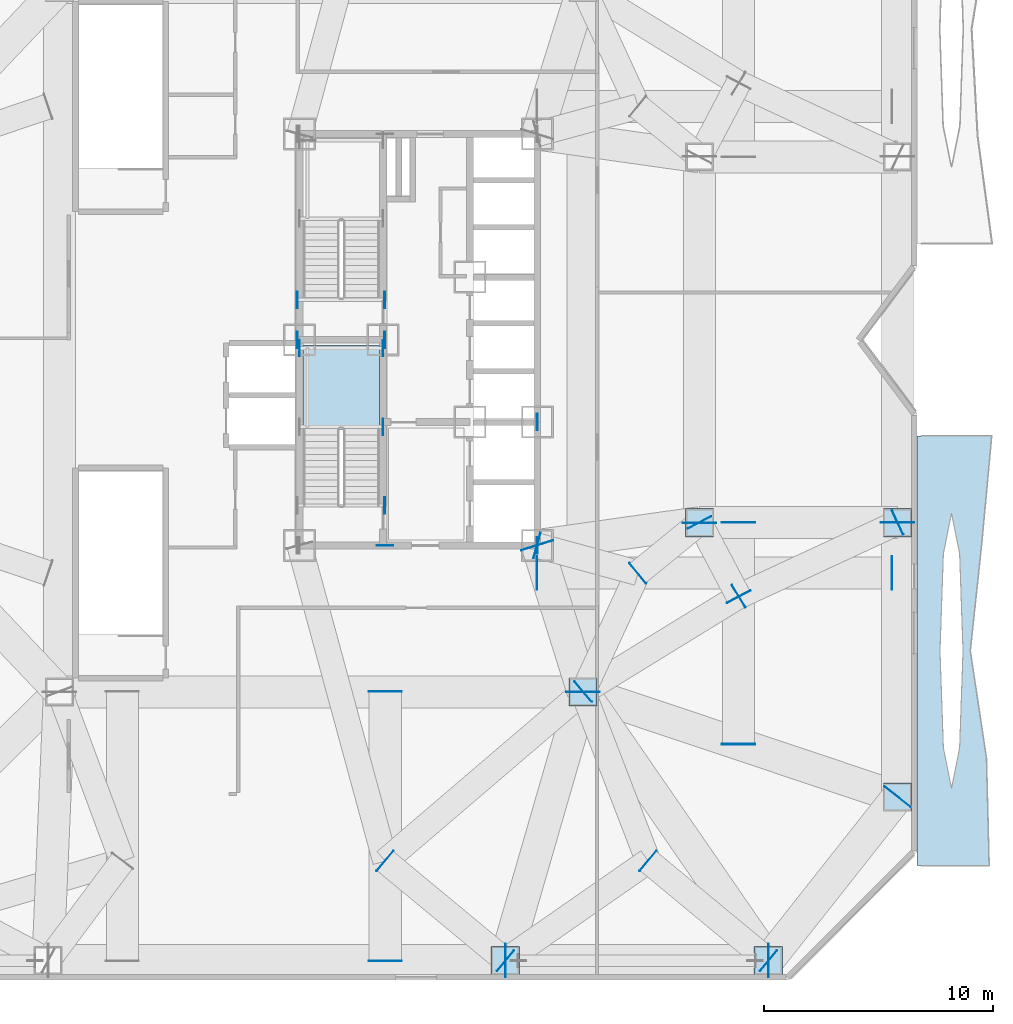
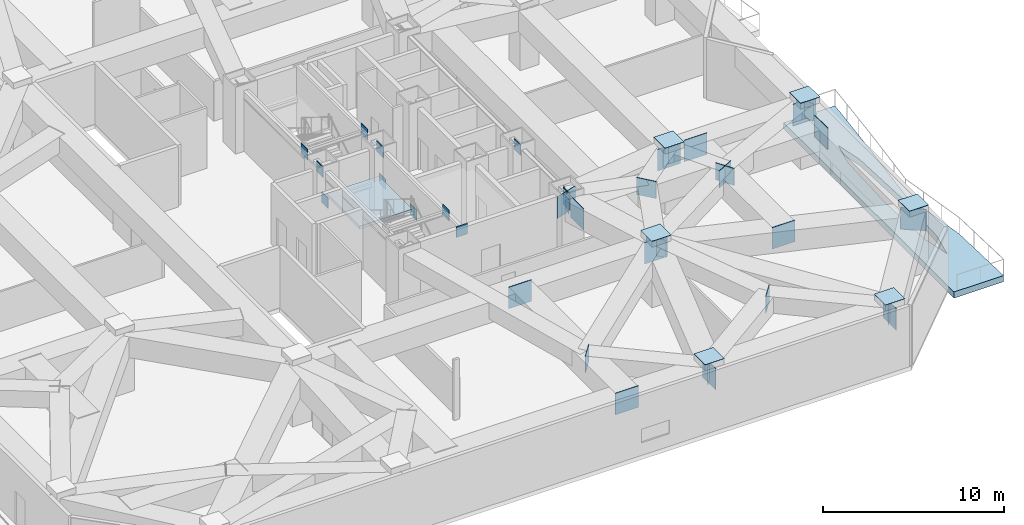
# One storey, part 15 of 27: 43 plates, 2 slabs, 1 element without a shape of its own.
"""IFC4 building model written with IfcOpenShell, lengths in metres."""

from ifc_helpers import new_model, si_unit, direction, frame, origin, origin_2d, place, context, subcontext, project, spatial, polyline, rectangle, outline, extrude, material, layer, layer_set, type_object, element, aggregate, save


model = new_model("IFC4")

# Units and contexts
model_context = context("Model", 3, precision=1e-05, world=origin(), true_north=direction((0.0, 1.0)))
body_context = subcontext(model_context, "Body", "Model", "MODEL_VIEW")
ifc_project = project(units=[si_unit("LENGTHUNIT", "METRE"), si_unit("AREAUNIT", "SQUARE_METRE"), si_unit("VOLUMEUNIT", "CUBIC_METRE"), si_unit("PLANEANGLEUNIT", "RADIAN"), si_unit("MASSUNIT", "GRAM", prefix="KILO")], contexts=[model_context])

# Site, building, storey
site_placement = place(None, origin())
site = spatial("IfcSite", under=ifc_project, at=site_placement, CompositionType="ELEMENT")
building_placement = place(site_placement, origin())
building = spatial("IfcBuilding", under=site, at=building_placement, Name="Khamvora Tower", CompositionType="ELEMENT")
storey_placement = place(building_placement, frame((0.0, 0.0, 28.800048828125)))
storey = spatial("IfcBuildingStorey", under=building, at=storey_placement, Name="L06", CompositionType="ELEMENT", Elevation=28.800048828125)

# Plates
ifc_material_1 = material(Name="Steel S355", Category="steel")
ifc_layer_1 = layer(ifc_material_1, 0.02490234375)
ifc_layer_set_1 = layer_set([ifc_layer_1], Name="Steel S355")
plate_type_1 = type_object("IfcPlateType", Name="PL-CAP-25", PredefinedType="SHEET", material=ifc_layer_set_1)
for number, where, z_axis, x_axis, name in (
    (1, (38.0, 0.85009765625, 4.474609375), (0.0, 0.0, 1.0), (1.0, 0.0, 0.0), "L06 hollow section steel end cap plate 0057"),
    (2, (49.5, 0.85009765625, 4.474609375), (0.0, 0.0, 1.0), (1.0, 0.0, 0.0), "L06 hollow section steel end cap plate 0058"),
    (3, (55.14990234375, 8.0, 4.474609375), (0.0, 0.0, 1.0), (1.0, 0.0, 0.0), "L06 hollow section steel end cap plate 0067"),
    (4, (55.14990234375, 20.0, 4.474609375), (0.0, 0.0, 1.0), (1.0, 0.0, 0.0), "L06 hollow section steel end cap plate 0068"),
    (5, (41.39990234375, 12.60009765625, 4.474609375), (0.0, 0.0, 1.0), (1.0, 0.0, 0.0), "L06 hollow section steel end cap plate 0072"),
    (6, (46.5, 20.0, 4.474609375), (0.0, 0.0, 1.0), (1.0, 0.0, 0.0), "L06 hollow section steel end cap plate 0077"),
):
    element("IfcPlate", number, at=place(storey_placement, frame(where, z_axis=z_axis, x_axis=x_axis)), inside=storey, type_object=plate_type_1, Name=name, PredefinedType="SHEET", context=body_context, shape_type="SweptSolid", body=[
        extrude(rectangle(XDim=1.22998046875, YDim=1.22998046875, at=origin_2d()), origin(), (0.0, 0.0, 1.0), 0.02490234375),
    ])
for number, where, z_axis, x_axis, name in (
    (7, (38.012939453125, 0.85009765625, 2.64990234375), (0.0, 0.0, 1.0), (1.0, 0.0, 0.0), "L06 hollow section steel end cap plate 0464"),
    (8, (49.512939453125, 0.85009765625, 2.64990234375), (0.0, 0.0, 1.0), (1.0, 0.0, 0.0), "L06 hollow section steel end cap plate 0465"),
    (9, (55.157958984375, 8.010009765625, 2.64990234375), (0.0, 0.0, 1.0), (0.619998158531, 0.78460326498, 0.0), "L06 hollow section steel end cap plate 0466"),
    (10, (55.14990234375, 20.011962890625, 2.64990234375), (0.0, 0.0, 1.0), (0.0, 1.0, 0.0), "L06 hollow section steel end cap plate 0467"),
    (11, (41.39990234375, 12.587890625, 2.64990234375), (0.0, 0.0, 1.0), (0.0, 1.0, 0.0), "L06 hollow section steel end cap plate 0478"),
    (12, (46.5, 19.988037109375, 2.64990234375), (0.0, 0.0, 1.0), (0.0, 1.0, 0.0), "L06 hollow section steel end cap plate 0482"),
    (13, (39.39599609375, 19.011962890625, 2.64990234375), (0.0, 0.0, 1.0), (0.298274582725, -0.954480106288, 0.0), "L06 hollow section steel end cap plate 0484"),
    (14, (32.75, 0.837890625, 2.64990234375), (0.0, 0.0, 1.0), (0.0, 1.0, 0.0), "L06 hollow section steel end cap plate 0490"),
    (15, (32.75, 12.612060546875, 2.64990234375), (0.0, 0.0, 1.0), (0.0, 1.0, 0.0), "L06 hollow section steel end cap plate 0491"),
    (16, (48.199951171875, 10.31201171875, 2.64990234375), (0.0, 0.0, 1.0), (0.0, 1.0, 0.0), "L06 hollow section steel end cap plate 0502"),
    (17, (48.199951171875, 20.011962890625, 2.64990234375), (0.0, 0.0, 1.0), (0.0, 1.0, 0.0), "L06 hollow section steel end cap plate 0503"),
    (18, (39.386962890625, 17.800048828125, 2.64990234375), (0.0, 0.0, 1.0), (1.0, 0.0, 0.0), "L06 hollow section steel end cap plate 0506"),
    (19, (54.922119140625, 17.800048828125, 2.64990234375), (0.0, 0.0, 1.0), (1.0, 0.0, 0.0), "L06 hollow section steel end cap plate 0507"),
):
    element("IfcPlate", number, at=place(storey_placement, frame(where, z_axis=z_axis, x_axis=x_axis)), inside=storey, type_object=plate_type_1, Name=name, PredefinedType="SHEET", context=body_context, shape_type="SweptSolid", body=[
        extrude(rectangle(XDim=0.02490234375, YDim=1.4599609375, at=origin_2d()), origin(), (0.0, 0.0, 1.0), 1.4599609375),
    ])
for number, where, z_axis, x_axis, name in (
    (20, (38.010009765625, 0.842041015625, 2.9501953125), (0.0, 0.0, 1.0), (-0.770023509139, 0.638015513426, 0.0), "L06 hollow section steel end cap plate 0516"),
    (21, (32.739990234375, 5.2080078125, 2.9501953125), (0.0, 0.0, 1.0), (-0.770023509139, 0.638015513426, 0.0), "L06 hollow section steel end cap plate 0517"),
    (22, (41.408935546875, 12.60791015625, 2.9501953125), (0.0, 0.0, 1.0), (-0.759872964503, -0.650071594378, 0.0), "L06 hollow section steel end cap plate 0518"),
    (23, (49.510009765625, 0.842041015625, 2.9501953125), (0.0, 0.0, 1.0), (-0.770023509139, 0.638015513426, 0.0), "L06 hollow section steel end cap plate 0520"),
    (24, (44.239990234375, 5.2080078125, 2.9501953125), (0.0, 0.0, 1.0), (-0.770023509139, 0.638015513426, 0.0), "L06 hollow section steel end cap plate 0521"),
    (25, (46.493896484375, 20.010986328125, 2.9501953125), (0.0, 0.0, 1.0), (0.466309444312, -0.884621671759, 0.0), "L06 hollow section steel end cap plate 0542"),
    (26, (48.2060546875, 16.763916015625, 2.9501953125), (0.0, 0.0, 1.0), (0.466309444312, -0.884621671759, 0.0), "L06 hollow section steel end cap plate 0543"),
    (27, (55.160888671875, 20.0048828125, 2.9501953125), (0.0, 0.0, 1.0), (-0.90709544675, -0.420924993894, 0.0), "L06 hollow section steel end cap plate 0544"),
    (28, (48.2109375, 16.781982421875, 2.9501953125), (0.0, 0.0, 1.0), (0.85219300591, 0.523227561085, 0.0), "L06 hollow section steel end cap plate 0545"),
    (29, (43.7900390625, 17.7919921875, 2.9501953125), (0.0, 0.0, 1.0), (-0.775231214705, -0.631677578949, 0.0), "L06 hollow section steel end cap plate 0552"),
    (30, (39.387939453125, 19.0029296875, 2.9501953125), (0.0, 0.0, 1.0), (0.964764366352, -0.263115407033, 0.0), "L06 hollow section steel end cap plate 0553"),
):
    element("IfcPlate", number, at=place(storey_placement, frame(where, z_axis=z_axis, x_axis=x_axis)), inside=storey, type_object=plate_type_1, Name=name, PredefinedType="SHEET", context=body_context, shape_type="SweptSolid", body=[
        extrude(rectangle(XDim=0.02490234375, YDim=1.159912109375, at=origin_2d()), origin(), (0.0, 0.0, 1.0), 1.159912109375),
    ])
ifc_material_2 = material(Name="Steel S460", Category="steel")
ifc_layer_2 = layer(ifc_material_2, 0.034912109375)
ifc_layer_set_2 = layer_set([ifc_layer_2], Name="Steel S460")
plate_type_2 = type_object("IfcPlateType", Name="PL-EMB-35", PredefinedType="SHEET", material=ifc_layer_set_2)
for number, where, z_axis, x_axis, name in (
    (31, (32.64990234375, 24.195068359375, 1.55908203125), (0.0, 0.0, 1.0), (1.0, 0.0, 0.0), "L06 core shear wall cast-in embed plate 0200"),
    (32, (29.0, 27.6298828125, 1.55908203125), (0.0, 0.0, 1.0), (1.0, 0.0, 0.0), "L06 core shear wall cast-in embed plate 0201"),
    (33, (32.64990234375, 27.6298828125, 1.55908203125), (0.0, 0.0, 1.0), (1.0, 0.0, 0.0), "L06 core shear wall cast-in embed plate 0202"),
    (34, (39.39990234375, 19.0, 3.02001953125), (0.0, 0.0, 1.0), (1.0, 0.0, 0.0), "L06 core shear wall cast-in embed plate 0208"),
    (35, (28.89990234375, 28.0, 3.4541015625), (0.0, 0.0, 1.0), (1.0, 0.0, 0.0), "L06 core shear wall cast-in embed plate 0211"),
):
    element("IfcPlate", number, at=place(storey_placement, frame(where, z_axis=z_axis, x_axis=x_axis)), inside=storey, type_object=plate_type_2, Name=name, PredefinedType="SHEET", context=body_context, shape_type="SweptSolid", body=[
        extrude(rectangle(XDim=0.034912109375, YDim=0.719970703125, at=origin_2d()), origin(), (0.0, 0.0, 1.0), 0.719970703125),
    ])
plate_placement = place(storey_placement, frame((32.72998046875, 19.0, 3.4541015625), z_axis=(0.0, 0.0, 1.0), x_axis=(1.0, 0.0, 0.0)))
element("IfcPlate", 36, at=plate_placement, inside=storey, type_object=plate_type_2, Name="L06 core shear wall cast-in embed plate 0213", PredefinedType="SHEET", context=body_context, shape_type="SweptSolid", body=[
    extrude(rectangle(XDim=0.719970703125, YDim=0.034912109375, at=origin_2d()), origin(), (0.0, 0.0, 1.0), 0.719970703125),
])
for number, where, z_axis, x_axis, name in (
    (37, (32.72998046875, 28.0, 3.4541015625), (0.0, 0.0, 1.0), (1.0, 0.0, 0.0), "L06 core shear wall cast-in embed plate 0214"),
    (38, (39.39990234375, 19.0, 3.4541015625), (0.0, 0.0, 1.0), (1.0, 0.0, 0.0), "L06 core shear wall cast-in embed plate 0216"),
    (39, (39.39990234375, 24.39990234375, 3.4541015625), (0.0, 0.0, 1.0), (1.0, 0.0, 0.0), "L06 core shear wall cast-in embed plate 0217"),
    (40, (32.72998046875, 20.75, 3.59375), (0.0, 0.0, 1.0), (1.0, 0.0, 0.0), "L06 core shear wall cast-in embed plate 0220"),
    (41, (28.89990234375, 29.75, 3.59375), (0.0, 0.0, 1.0), (1.0, 0.0, 0.0), "L06 core shear wall cast-in embed plate 0221"),
    (42, (32.72998046875, 29.75, 3.59375), (0.0, 0.0, 1.0), (1.0, 0.0, 0.0), "L06 core shear wall cast-in embed plate 0222"),
    (43, (39.39990234375, 19.0, 3.169921875), (0.0, 0.0, 1.0), (1.0, 0.0, 0.0), "L06 core shear wall cast-in embed plate 0225"),
):
    element("IfcPlate", number, at=place(storey_placement, frame(where, z_axis=z_axis, x_axis=x_axis)), inside=storey, type_object=plate_type_2, Name=name, PredefinedType="SHEET", context=body_context, shape_type="SweptSolid", body=[
        extrude(rectangle(XDim=0.034912109375, YDim=0.719970703125, at=origin_2d()), origin(), (0.0, 0.0, 1.0), 0.719970703125),
    ])

# Slab
ifc_material_3 = material(Name="Concrete C40/50", Category="concrete")
ifc_layer_3 = layer(ifc_material_3, 0.419921875)
ifc_layer_set_3 = layer_set([ifc_layer_3], Name="Concrete C40/50")
slab_type_1 = type_object("IfcSlabType", Name="SLB-GRD-420", PredefinedType="FLOOR", material=ifc_layer_set_3)
slab_1_placement = place(storey_placement, frame((0.0, 0.0, -0.420166015625)))
element("IfcSlab", 44, at=slab_1_placement, inside=storey, type_object=slab_type_1, Name="L06 external lens gallery slab EL1", PredefinedType="FLOOR", context=body_context, shape_type="SweptSolid", body=[
    extrude(outline(polyline([(59.162109375, 5.0), (59.0439453125, 9.699951171875), (58.3369140625, 14.39990234375), (58.839111328125, 19.10009765625), (59.27392578125, 23.800048828125), (56.0, 23.800048828125), (56.0, 5.0), (59.162109375, 5.0)]), holes=[polyline([(58.01904296875, 14.39990234375), (57.87109375, 18.654052734375), (57.514892578125, 20.416015625), (57.158935546875, 18.654052734375), (57.010986328125, 14.39990234375), (57.158935546875, 10.14599609375), (57.514892578125, 8.384033203125), (57.87109375, 10.14599609375), (58.01904296875, 14.39990234375)])]), origin(), (0.0, 0.0, 1.0), 0.420166015625),
])

# Stair, slab
stair_type = type_object("IfcStairType", Name="STR-ST-01", PredefinedType="HALF_TURN_STAIR", material=ifc_material_3)
stair_placement = place(storey_placement, origin())
stair = element("IfcStair", 45, at=stair_placement, inside=storey, type_object=stair_type, Name="L06 South Tower Exit Stair ST-01", PredefinedType="HALF_TURN_STAIR")
ifc_layer_4 = layer(ifc_material_3, 0.199951171875)
ifc_layer_set_4 = layer_set([ifc_layer_4], Name="Concrete C40/50")
slab_type_2 = type_object("IfcSlabType", Name="SLB-LND-200", PredefinedType="LANDING", material=ifc_layer_set_4)
slab_2_placement = place(storey_placement, frame((0.0, 0.0, 2.050048828125)))
slab_2 = element("IfcSlab", 46, at=slab_2_placement, type_object=slab_type_2, Name="ST-01 landing 1", PredefinedType="LANDING", context=body_context, shape_type="SweptSolid", body=[
    extrude(outline(polyline([(32.5, 24.074951171875), (32.5, 27.75), (29.14990234375, 27.75), (29.14990234375, 24.074951171875), (32.5, 24.074951171875)])), origin(), (0.0, 0.0, 1.0), 0.199951171875),
])
aggregate(stair, [slab_2])

save(model, "model.ifc")
